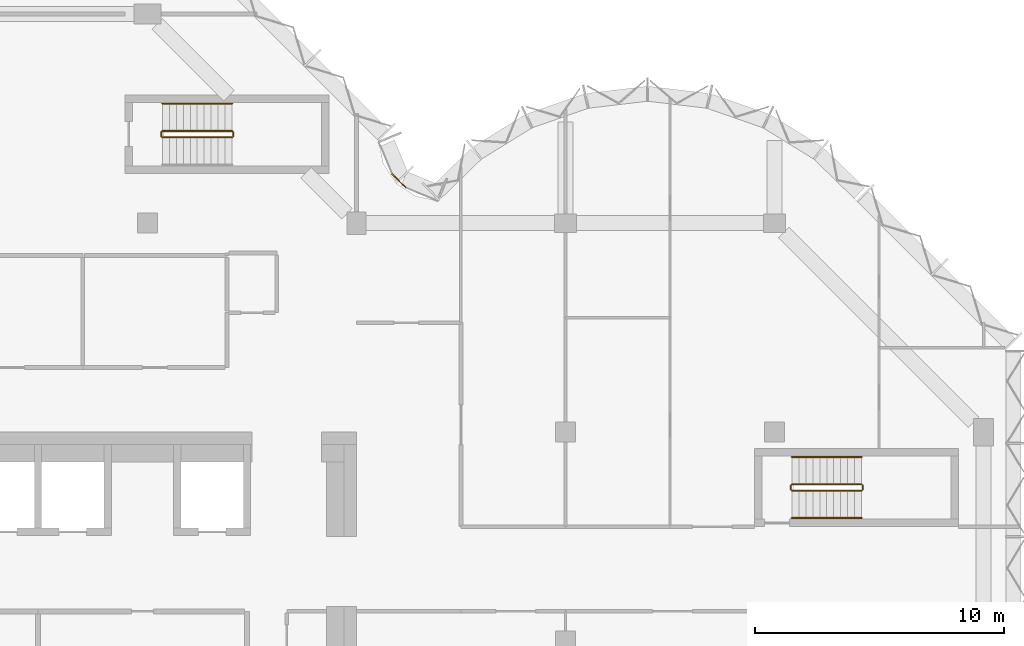
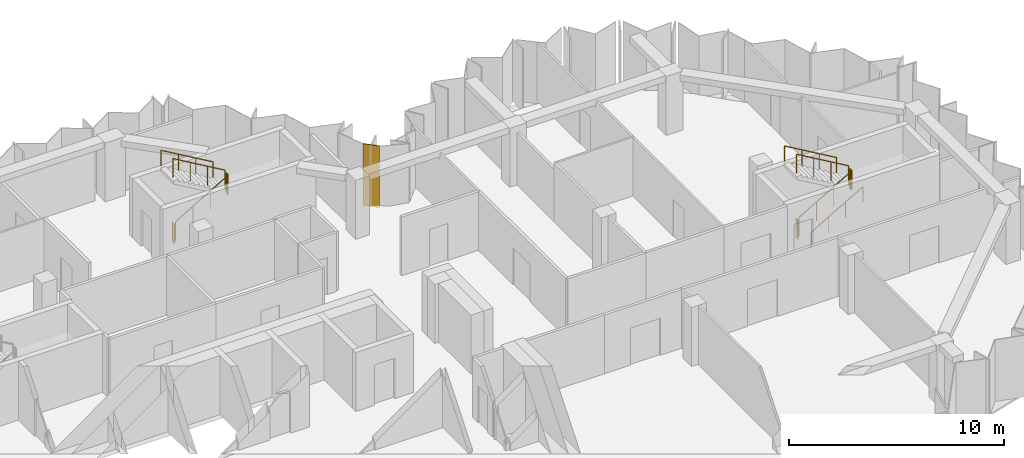
# One storey, part 10 of 10: 11 railings, 1 covering, 1 element without a shape of its own.
"""IFC4 building model written with IfcOpenShell, lengths in metres."""

from ifc_helpers import new_model, si_unit, direction, frame, origin, origin_2d, place, context, subcontext, project, spatial, polyline, circle, outline, extrude, material, layer, layer_set, type_object, element, aggregate, save


model = new_model("IFC4")

# Units and contexts
model_context = context("Model", 3, precision=1e-05, world=origin(), true_north=direction((0.0, 1.0)))
body_context = subcontext(model_context, "Body", "Model", "MODEL_VIEW")
ifc_project = project(units=[si_unit("LENGTHUNIT", "METRE"), si_unit("AREAUNIT", "SQUARE_METRE"), si_unit("VOLUMEUNIT", "CUBIC_METRE"), si_unit("PLANEANGLEUNIT", "RADIAN"), si_unit("MASSUNIT", "GRAM", prefix="KILO")], contexts=[model_context])

# Site, building, storey
site_placement = place(None, origin())
site = spatial("IfcSite", under=ifc_project, at=site_placement, CompositionType="ELEMENT")
building_placement = place(site_placement, origin())
building = spatial("IfcBuilding", under=site, at=building_placement, Name="Brevane Broadcast Tower", CompositionType="ELEMENT")
storey_placement = place(building_placement, frame((0.0, 0.0, 230.10009765625)))
storey = spatial("IfcBuildingStorey", under=building, at=storey_placement, Name="L58", CompositionType="ELEMENT", Elevation=230.10009765625)

# Railings
ifc_material_1 = material(Name="Steel S355", Category="steel")
railing_type_1 = type_object("IfcRailingType", Name="Exit stair guard", PredefinedType="GUARDRAIL", material=ifc_material_1)
railing_1_placement = place(storey_placement, frame((17.39990234375, 28.64990234375, 0.16357421875)))
element("IfcRailing", 1, at=railing_1_placement, inside=storey, type_object=railing_type_1, Name="L58 ST-3 stair guard 1", PredefinedType="GUARDRAIL", context=body_context, shape_type="SweptSolid", body=[
    extrude(circle(Radius=0.02392578125, at=origin_2d()), frame((0.0, 0.0, 1.076171875), z_axis=(0.863393664356, 0.0, 0.504530851732), x_axis=(0.0, 1.0, 0.0)), (0.0, 0.0, 1.0), 3.2431640625),
    extrude(circle(Radius=0.02099609375, at=origin_2d()), origin(), (0.0, 0.0, 1.0), 1.052001953125),
    extrude(circle(Radius=0.02099609375, at=origin_2d()), frame((0.933349609375, 0.0, 0.54541015625)), (0.0, 0.0, 1.0), 1.052001953125),
    extrude(circle(Radius=0.02099609375, at=origin_2d()), frame((1.86669921875, 0.0, 1.0908203125)), (0.0, 0.0, 1.0), 1.052001953125),
    extrude(circle(Radius=0.02099609375, at=origin_2d()), frame((2.800048828125, 0.0, 1.63623046875)), (0.0, 0.0, 1.0), 1.052001953125),
])
railing_2_placement = place(storey_placement, frame((20.25, 28.699951171875, 1.7998046875)))
element("IfcRailing", 2, at=railing_2_placement, inside=storey, type_object=railing_type_1, Name="L58 ST-3 stair guard 2", PredefinedType="GUARDRAIL", context=body_context, shape_type="SweptSolid", body=[
    extrude(circle(Radius=0.02392578125, at=origin_2d()), frame((0.0, 0.0, 1.076171875), z_axis=(0.0, 1.0, 0.0), x_axis=(-1.0, 0.0, 0.0)), (0.0, 0.0, 1.0), 0.150146484375),
    extrude(circle(Radius=0.02099609375, at=origin_2d()), origin(), (0.0, 0.0, 1.0), 1.052001953125),
    extrude(circle(Radius=0.02099609375, at=origin_2d()), frame((0.0, 0.150146484375, 0.0)), (0.0, 0.0, 1.0), 1.052001953125),
])
railing_3_placement = place(storey_placement, frame((20.199951171875, 28.89990234375, 1.963623046875)))
element("IfcRailing", 3, at=railing_3_placement, inside=storey, type_object=railing_type_1, Name="L58 ST-3 stair guard 3", PredefinedType="GUARDRAIL", context=body_context, shape_type="SweptSolid", body=[
    extrude(circle(Radius=0.02392578125, at=origin_2d()), frame((0.0, 0.0, 1.076171875), z_axis=(-0.863393664356, 0.0, 0.504530851732), x_axis=(0.0, -1.0, 0.0)), (0.0, 0.0, 1.0), 3.2431640625),
    extrude(circle(Radius=0.02099609375, at=origin_2d()), origin(), (0.0, 0.0, 1.0), 1.052001953125),
    extrude(circle(Radius=0.02099609375, at=origin_2d()), frame((-0.933349609375, 0.0, 0.54541015625)), (0.0, 0.0, 1.0), 1.052001953125),
    extrude(circle(Radius=0.02099609375, at=origin_2d()), frame((-1.86669921875, 0.0, 1.0908203125)), (0.0, 0.0, 1.0), 1.052001953125),
    extrude(circle(Radius=0.02099609375, at=origin_2d()), frame((-2.800048828125, 0.0, 1.63623046875)), (0.0, 0.0, 1.0), 1.052001953125),
])
railing_4_placement = place(storey_placement, frame((17.35009765625, 28.699951171875, 0.0)))
element("IfcRailing", 4, at=railing_4_placement, inside=storey, type_object=railing_type_1, Name="L58 ST-3 stair guard 4", PredefinedType="GUARDRAIL", context=body_context, shape_type="SweptSolid", body=[
    extrude(circle(Radius=0.02392578125, at=origin_2d()), frame((0.0, 0.0, 1.076171875), z_axis=(0.0, 1.0, 0.0), x_axis=(-1.0, 0.0, 0.0)), (0.0, 0.0, 1.0), 0.150146484375),
    extrude(circle(Radius=0.02099609375, at=origin_2d()), origin(), (0.0, 0.0, 1.0), 1.052001953125),
    extrude(circle(Radius=0.02099609375, at=origin_2d()), frame((0.0, 0.150146484375, 0.0)), (0.0, 0.0, 1.0), 1.052001953125),
])
railing_5_placement = place(storey_placement, frame((42.699951171875, 14.449951171875, 0.16357421875)))
element("IfcRailing", 5, at=railing_5_placement, inside=storey, type_object=railing_type_1, Name="L58 ST-4 stair guard 1", PredefinedType="GUARDRAIL", context=body_context, shape_type="SweptSolid", body=[
    extrude(circle(Radius=0.02392578125, at=origin_2d()), frame((0.0, 0.0, 1.076171875), z_axis=(0.863393664356, 0.0, 0.504530851732), x_axis=(0.0, 1.0, 0.0)), (0.0, 0.0, 1.0), 3.2431640625),
    extrude(circle(Radius=0.02099609375, at=origin_2d()), origin(), (0.0, 0.0, 1.0), 1.052001953125),
    extrude(circle(Radius=0.02099609375, at=origin_2d()), frame((0.933349609375, 0.0, 0.54541015625)), (0.0, 0.0, 1.0), 1.052001953125),
    extrude(circle(Radius=0.02099609375, at=origin_2d()), frame((1.86669921875, 0.0, 1.0908203125)), (0.0, 0.0, 1.0), 1.052001953125),
    extrude(circle(Radius=0.02099609375, at=origin_2d()), frame((2.800048828125, 0.0, 1.63623046875)), (0.0, 0.0, 1.0), 1.052001953125),
])
railing_6_placement = place(storey_placement, frame((45.550048828125, 14.5, 1.7998046875)))
element("IfcRailing", 6, at=railing_6_placement, inside=storey, type_object=railing_type_1, Name="L58 ST-4 stair guard 2", PredefinedType="GUARDRAIL", context=body_context, shape_type="SweptSolid", body=[
    extrude(circle(Radius=0.02392578125, at=origin_2d()), frame((0.0, 0.0, 1.076171875), z_axis=(0.0, 1.0, 0.0), x_axis=(-1.0, 0.0, 0.0)), (0.0, 0.0, 1.0), 0.14990234375),
    extrude(circle(Radius=0.02099609375, at=origin_2d()), origin(), (0.0, 0.0, 1.0), 1.052001953125),
    extrude(circle(Radius=0.02099609375, at=origin_2d()), frame((0.0, 0.14990234375, 0.0)), (0.0, 0.0, 1.0), 1.052001953125),
])
railing_7_placement = place(storey_placement, frame((45.5, 14.699951171875, 1.963623046875)))
element("IfcRailing", 7, at=railing_7_placement, inside=storey, type_object=railing_type_1, Name="L58 ST-4 stair guard 3", PredefinedType="GUARDRAIL", context=body_context, shape_type="SweptSolid", body=[
    extrude(circle(Radius=0.02392578125, at=origin_2d()), frame((0.0, 0.0, 1.076171875), z_axis=(-0.863393664356, 0.0, 0.504530851732), x_axis=(0.0, -1.0, 0.0)), (0.0, 0.0, 1.0), 3.2431640625),
    extrude(circle(Radius=0.02099609375, at=origin_2d()), origin(), (0.0, 0.0, 1.0), 1.052001953125),
    extrude(circle(Radius=0.02099609375, at=origin_2d()), frame((-0.933349609375, 0.0, 0.54541015625)), (0.0, 0.0, 1.0), 1.052001953125),
    extrude(circle(Radius=0.02099609375, at=origin_2d()), frame((-1.86669921875, 0.0, 1.0908203125)), (0.0, 0.0, 1.0), 1.052001953125),
    extrude(circle(Radius=0.02099609375, at=origin_2d()), frame((-2.800048828125, 0.0, 1.63623046875)), (0.0, 0.0, 1.0), 1.052001953125),
])
railing_8_placement = place(storey_placement, frame((42.64990234375, 14.5, 0.0)))
element("IfcRailing", 8, at=railing_8_placement, inside=storey, type_object=railing_type_1, Name="L58 ST-4 stair guard 4", PredefinedType="GUARDRAIL", context=body_context, shape_type="SweptSolid", body=[
    extrude(circle(Radius=0.02392578125, at=origin_2d()), frame((0.0, 0.0, 1.076171875), z_axis=(0.0, 1.0, 0.0), x_axis=(-1.0, 0.0, 0.0)), (0.0, 0.0, 1.0), 0.14990234375),
    extrude(circle(Radius=0.02099609375, at=origin_2d()), origin(), (0.0, 0.0, 1.0), 1.052001953125),
    extrude(circle(Radius=0.02099609375, at=origin_2d()), frame((0.0, 0.14990234375, 0.0)), (0.0, 0.0, 1.0), 1.052001953125),
])
railing_type_2 = type_object("IfcRailingType", Name="Exit stair handrail", PredefinedType="HANDRAIL", material=ifc_material_1)
railing_9_placement = place(storey_placement, frame((20.199951171875, 30.0, 1.963623046875)))
element("IfcRailing", 9, at=railing_9_placement, inside=storey, type_object=railing_type_2, Name="L58 ST-3 stair handrail 2", PredefinedType="HANDRAIL", context=body_context, shape_type="SweptSolid", body=[
    extrude(circle(Radius=0.02392578125, at=origin_2d()), frame((0.0, 0.0, 0.8759765625), z_axis=(-0.863393664356, 0.0, 0.504530851732), x_axis=(0.0, -1.0, 0.0)), (0.0, 0.0, 1.0), 3.2431640625),
    extrude(circle(Radius=0.02099609375, at=origin_2d()), origin(), (0.0, 0.0, 1.0), 0.851806640625),
    extrude(circle(Radius=0.02099609375, at=origin_2d()), frame((-0.933349609375, 0.0, 0.54541015625)), (0.0, 0.0, 1.0), 0.851806640625),
    extrude(circle(Radius=0.02099609375, at=origin_2d()), frame((-1.86669921875, 0.0, 1.0908203125)), (0.0, 0.0, 1.0), 0.851806640625),
    extrude(circle(Radius=0.02099609375, at=origin_2d()), frame((-2.800048828125, 0.0, 1.63623046875)), (0.0, 0.0, 1.0), 0.851806640625),
])
railing_10_placement = place(storey_placement, frame((42.699951171875, 13.35009765625, 0.16357421875)))
element("IfcRailing", 10, at=railing_10_placement, inside=storey, type_object=railing_type_2, Name="L58 ST-4 stair handrail 1", PredefinedType="HANDRAIL", context=body_context, shape_type="SweptSolid", body=[
    extrude(circle(Radius=0.02392578125, at=origin_2d()), frame((0.0, 0.0, 0.8759765625), z_axis=(0.863393664356, 0.0, 0.504530851732), x_axis=(0.0, 1.0, 0.0)), (0.0, 0.0, 1.0), 3.2431640625),
    extrude(circle(Radius=0.02099609375, at=origin_2d()), origin(), (0.0, 0.0, 1.0), 0.851806640625),
    extrude(circle(Radius=0.02099609375, at=origin_2d()), frame((0.933349609375, 0.0, 0.54541015625)), (0.0, 0.0, 1.0), 0.851806640625),
    extrude(circle(Radius=0.02099609375, at=origin_2d()), frame((1.86669921875, 0.0, 1.0908203125)), (0.0, 0.0, 1.0), 0.851806640625),
    extrude(circle(Radius=0.02099609375, at=origin_2d()), frame((2.800048828125, 0.0, 1.63623046875)), (0.0, 0.0, 1.0), 0.851806640625),
])
railing_11_placement = place(storey_placement, frame((45.5, 15.800048828125, 1.963623046875)))
element("IfcRailing", 11, at=railing_11_placement, inside=storey, type_object=railing_type_2, Name="L58 ST-4 stair handrail 2", PredefinedType="HANDRAIL", context=body_context, shape_type="SweptSolid", body=[
    extrude(circle(Radius=0.02392578125, at=origin_2d()), frame((0.0, 0.0, 0.8759765625), z_axis=(-0.863393664356, 0.0, 0.504530851732), x_axis=(0.0, -1.0, 0.0)), (0.0, 0.0, 1.0), 3.2431640625),
    extrude(circle(Radius=0.02099609375, at=origin_2d()), origin(), (0.0, 0.0, 1.0), 0.851806640625),
    extrude(circle(Radius=0.02099609375, at=origin_2d()), frame((-0.933349609375, 0.0, 0.54541015625)), (0.0, 0.0, 1.0), 0.851806640625),
    extrude(circle(Radius=0.02099609375, at=origin_2d()), frame((-1.86669921875, 0.0, 1.0908203125)), (0.0, 0.0, 1.0), 0.851806640625),
    extrude(circle(Radius=0.02099609375, at=origin_2d()), frame((-2.800048828125, 0.0, 1.63623046875)), (0.0, 0.0, 1.0), 0.851806640625),
])

# Curtain wall, covering
ifc_material_2 = material(Name="Aluminium 6063-T6 bronze anodised", Category="aluminium")
curtain_wall_type = type_object("IfcCurtainWallType", Name="CW-1 curtain wall", PredefinedType="NOTDEFINED", material=ifc_material_2)
curtain_wall_placement = place(storey_placement, origin())
curtain_wall = element("IfcCurtainWall", 12, at=curtain_wall_placement, inside=storey, type_object=curtain_wall_type, Name="CW-1 typical tilted unit L58 inner corner", PredefinedType="NOTDEFINED")
ifc_material_3 = material(Name="Back-painted bronze glass shadow-box", Category="glass")
ifc_layer = layer(ifc_material_3, 0.0400390625)
ifc_layer_set = layer_set([ifc_layer], Name="Shadow-box panel 40")
covering_type = type_object("IfcCoveringType", Name="Shadow-box panel 40", PredefinedType="CLADDING", material=ifc_layer_set)
covering_placement = place(storey_placement, frame((0.0, 0.0, -0.150146484375)))
covering = element("IfcCovering", 13, at=covering_placement, type_object=covering_type, Name="Closure panel", PredefinedType="CLADDING", context=body_context, shape_type="SweptSolid", body=[
    extrude(outline(polyline([(27.17138671875, 26.60498046875), (27.2021484375, 26.635498046875), (26.635498046875, 27.2021484375), (26.60498046875, 27.17138671875), (27.17138671875, 26.60498046875)])), origin(), (0.0, 0.0, 1.0), 3.5),
])
aggregate(curtain_wall, [covering])

save(model, "model.ifc")
